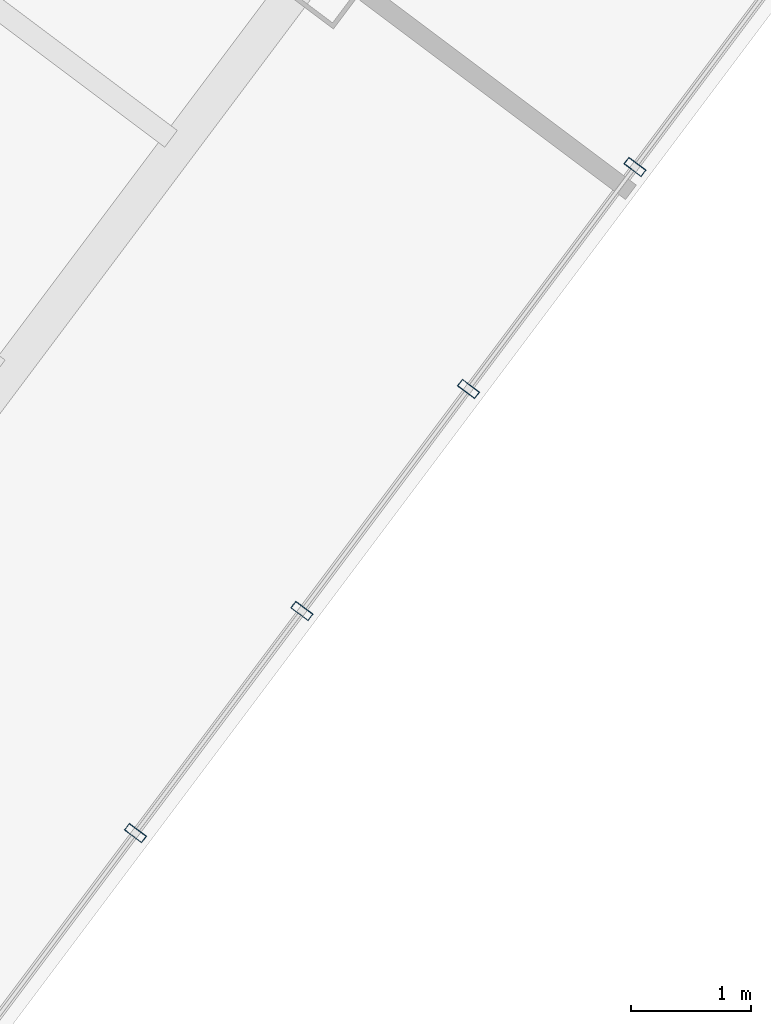
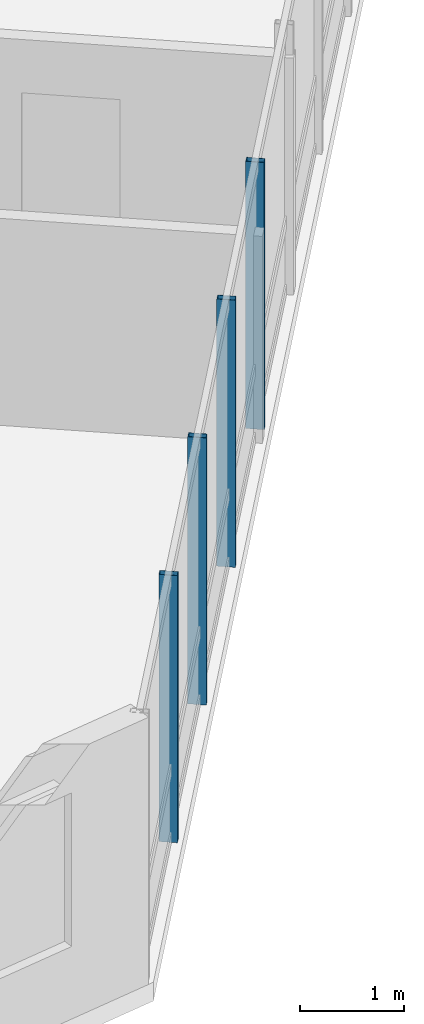
# One storey, part 14 of 36: 4 members, 1 element without a shape of its own.
"""IFC4 building model written with IfcOpenShell, lengths in metres."""

from ifc_helpers import new_model, si_unit, direction, frame, origin, origin_2d, place, context, subcontext, project, spatial, hollow_rectangle, extrude, material, layer, layer_set, material_profile, profile_set, type_object, element, aggregate, save


model = new_model("IFC4")

# Units and contexts
model_context = context("Model", 3, precision=1e-05, world=origin(), true_north=direction((0.0, 1.0)))
body_context = subcontext(model_context, "Body", "Model", "MODEL_VIEW")
ifc_project = project(units=[si_unit("LENGTHUNIT", "METRE"), si_unit("AREAUNIT", "SQUARE_METRE"), si_unit("VOLUMEUNIT", "CUBIC_METRE"), si_unit("PLANEANGLEUNIT", "RADIAN"), si_unit("MASSUNIT", "GRAM", prefix="KILO")], contexts=[model_context])

# Site, building, storey
site_placement = place(None, origin())
site = spatial("IfcSite", under=ifc_project, at=site_placement, CompositionType="ELEMENT")
building_placement = place(site_placement, origin())
building = spatial("IfcBuilding", under=site, at=building_placement, Name="Hatsunagi Terrace Concourse", CompositionType="ELEMENT")
storey_placement = place(building_placement, frame((0.0, 0.0, 84.64990234375)))
storey = spatial("IfcBuildingStorey", under=building, at=storey_placement, Name="L22", CompositionType="ELEMENT", Elevation=84.64990234375)

# Curtain wall, members
ifc_material_1 = material(Name="Anodised Aluminium Alloy 6063-T5", Category="aluminium")
ifc_layer = layer(ifc_material_1, 0.199951171875)
ifc_layer_set = layer_set([ifc_layer], Name="HotelFacade_CW02")
curtain_wall_type = type_object("IfcCurtainWallType", Name="HotelFacade_CW02", PredefinedType="NOTDEFINED", material=ifc_layer_set)
curtain_wall_placement = place(storey_placement, origin())
curtain_wall = element("IfcCurtainWall", 1, at=curtain_wall_placement, inside=storey, type_object=curtain_wall_type, Name="Unitised Curtain Wall CW-02 CW-L22-03", PredefinedType="NOTDEFINED")
ifc_material_2 = material(Name="Anodised Aluminium Alloy 6063-T5", Category="aluminium")
ifc_material_profile = material_profile(ifc_material_2, hollow_rectangle(XDim=0.070068359375, YDim=0.179931640625, WallThickness=0.00390625, at=origin_2d()), Name="ALU-MUL-180x70x4")
ifc_profile_set = profile_set([ifc_material_profile], Name="Anodised Aluminium Alloy 6063-T5")
member_type = type_object("IfcMemberType", Name="CurtainWallMullion_180x70", PredefinedType="MULLION", material=ifc_profile_set)
member_1_placement = place(storey_placement, frame((62.132080078125, 10.3759765625, 0.0), z_axis=(0.0, 0.0, 1.0), x_axis=(-0.599969314634, -0.800023013105, 0.0)))
member_1 = element("IfcMember", 2, at=member_1_placement, type_object=member_type, Name="Curtain Wall Mullion MUL-02", PredefinedType="MULLION", context=body_context, shape_type="SweptSolid", body=[
    extrude(hollow_rectangle(XDim=0.070068359375, YDim=0.179931640625, WallThickness=0.00390625, at=origin_2d()), origin(), (0.0, 0.0, 1.0), 3.130126953125),
])
member_2_placement = place(storey_placement, frame((60.739990234375, 8.51904296875, 0.0), z_axis=(0.0, 0.0, 1.0), x_axis=(-0.599969314634, -0.800023013105, 0.0)))
member_2 = element("IfcMember", 3, at=member_2_placement, type_object=member_type, Name="Curtain Wall Mullion MUL-02", PredefinedType="MULLION", context=body_context, shape_type="SweptSolid", body=[
    extrude(hollow_rectangle(XDim=0.070068359375, YDim=0.179931640625, WallThickness=0.00390625, at=origin_2d()), origin(), (0.0, 0.0, 1.0), 3.130126953125),
])
member_3_placement = place(storey_placement, frame((59.346923828125, 6.6630859375, 0.0), z_axis=(0.0, 0.0, 1.0), x_axis=(-0.599969314634, -0.800023013105, 0.0)))
member_3 = element("IfcMember", 4, at=member_3_placement, type_object=member_type, Name="Curtain Wall Mullion MUL-02", PredefinedType="MULLION", context=body_context, shape_type="SweptSolid", body=[
    extrude(hollow_rectangle(XDim=0.070068359375, YDim=0.179931640625, WallThickness=0.00390625, at=origin_2d()), origin(), (0.0, 0.0, 1.0), 3.130126953125),
])
member_4_placement = place(storey_placement, frame((57.955078125, 4.805908203125, 0.0), z_axis=(0.0, 0.0, 1.0), x_axis=(-0.599969314634, -0.800023013105, 0.0)))
member_4 = element("IfcMember", 5, at=member_4_placement, type_object=member_type, Name="Curtain Wall Mullion MUL-02", PredefinedType="MULLION", context=body_context, shape_type="SweptSolid", body=[
    extrude(hollow_rectangle(XDim=0.070068359375, YDim=0.179931640625, WallThickness=0.00390625, at=origin_2d()), origin(), (0.0, 0.0, 1.0), 3.130126953125),
])
aggregate(curtain_wall, [member_1, member_2, member_3, member_4])

save(model, "model.ifc")
